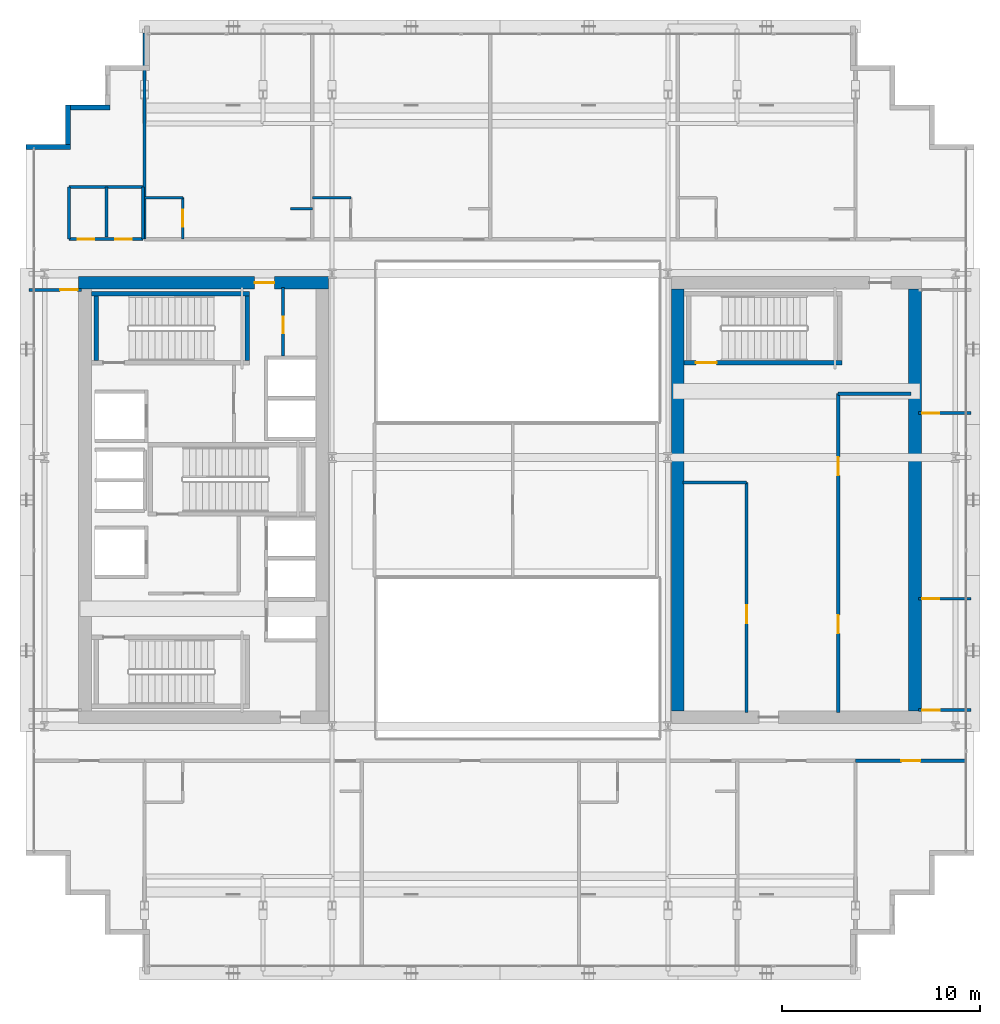
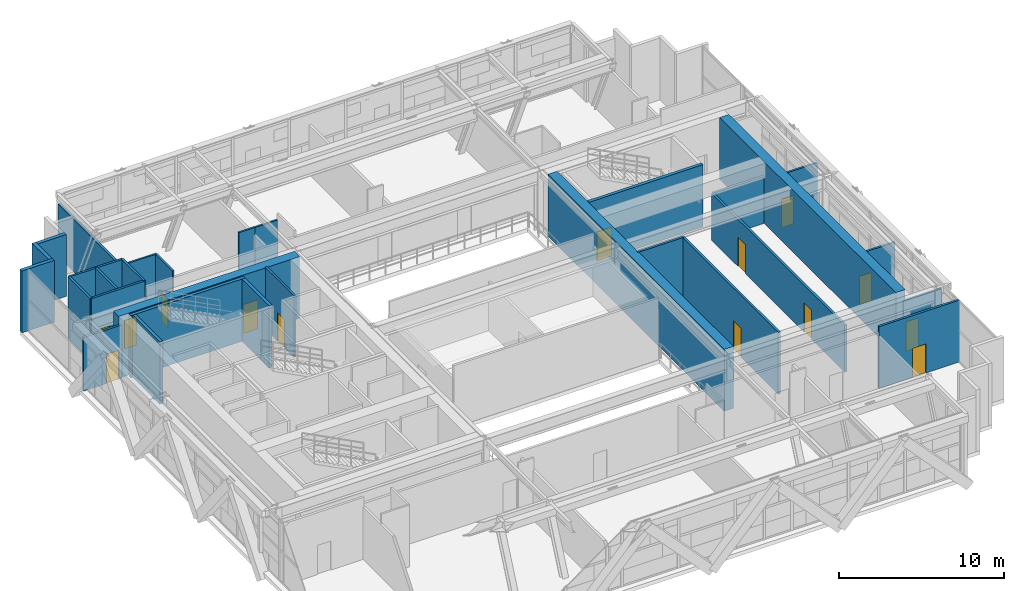
# One storey, part 30 of 35: 30 walls, 14 doors, 14 openings.
"""IFC4 building model written with IfcOpenShell, lengths in metres."""

from ifc_helpers import new_model, si_unit, direction, frame, frame_2d, origin, place, context, subcontext, project, spatial, rectangle, extrude, source, transform, mapped, material, layer, layer_set, type_object, element, fill, save


model = new_model("IFC4")

# Units and contexts
model_context = context("Model", 3, precision=1e-05, world=origin(), true_north=direction((0.0, 1.0)))
body_context = subcontext(model_context, "Body", "Model", "MODEL_VIEW")
ifc_project = project(units=[si_unit("LENGTHUNIT", "METRE"), si_unit("AREAUNIT", "SQUARE_METRE"), si_unit("VOLUMEUNIT", "CUBIC_METRE"), si_unit("PLANEANGLEUNIT", "RADIAN"), si_unit("MASSUNIT", "GRAM", prefix="KILO")], contexts=[model_context])

# Site, building, storey
site_placement = place(None, origin())
site = spatial("IfcSite", under=ifc_project, at=site_placement, CompositionType="ELEMENT")
building_placement = place(site_placement, origin())
building = spatial("IfcBuilding", under=site, at=building_placement, Name="Ocotamira Hotel", CompositionType="ELEMENT")
storey_placement = place(building_placement, frame((0.0, 0.0, 158.39990234375)))
storey = spatial("IfcBuildingStorey", under=building, at=storey_placement, Name="L39", CompositionType="ELEMENT", Elevation=158.39990234375)

# Wall, opening, door
ifc_material_1 = material(Name="Concrete C60/75", Category="concrete")
ifc_layer_1 = layer(ifc_material_1, 0.64990234375)
ifc_layer_set_1 = layer_set([ifc_layer_1], Name="Concrete C60/75")
wall_type_1 = type_object("IfcWallType", Name="WL-CORE-650", PredefinedType="SHEAR", material=ifc_layer_set_1)
wall_1_placement = place(storey_placement, frame((10.675048828125, 37.0, 0.0), z_axis=(0.0, 0.0, 1.0), x_axis=(1.0, 0.0, 0.0)))
wall_1 = element("IfcWall", 1, at=wall_1_placement, inside=storey, type_object=wall_type_1, Name="L39 Shear Core Wall WCORE-N", PredefinedType="SHEAR", context=body_context, shape_type="SweptSolid", body=[
    extrude(rectangle(XDim=12.64990234375, YDim=0.64990234375, at=frame_2d((6.324951171875, 0.0))), origin(), (0.0, 0.0, 1.0), 4.570068359375),
])
opening_1_placement = place(wall_1_placement, frame((8.905029296875, 0.0, 0.0)))
opening_1 = element("IfcOpeningElement", 2, at=opening_1_placement, cuts=wall_1, Name="Opening D-FR2", PredefinedType="OPENING", context=body_context, shape_type="SweptSolid", body=[
    extrude(rectangle(XDim=1.0, YDim=2.14990234375, at=frame_2d((0.5, 1.074951171875))), frame((0.0, 0.3349609375, 0.0), z_axis=(0.0, -1.0, 0.0), x_axis=(1.0, 0.0, 0.0)), (0.0, 0.0, 1.0), 0.669921875),
])
ifc_material_2 = material(Name="Fire-rated acoustic timber-veneer door", Category="wood")
door_type_1 = type_object("IfcDoorType", Name="DR-FIRE-1000", OperationType="NOTDEFINED", PredefinedType="DOOR", material=ifc_material_2)
shared_shape_1 = source(origin(), body_context, "Body", "SweptSolid", [
    extrude(rectangle(XDim=1.0, YDim=2.14990234375, at=frame_2d((0.5, 1.074951171875))), frame((0.0, 0.02490234375, 0.0), z_axis=(0.0, -1.0, 0.0), x_axis=(1.0, 0.0, 0.0)), (0.0, 0.0, 1.0), 0.050048828125),
])
door_1_placement = place(opening_1_placement, origin())
door_1 = element("IfcDoor", 3, at=door_1_placement, inside=storey, type_object=door_type_1, Name="L39 Door ID-L39-WLOB-N-D [ID-L39-WLOB-N-D]", OperationType="SINGLE_SWING_RIGHT", OverallHeight=2.14990234375, OverallWidth=1.0, PredefinedType="DOOR", context=body_context, shape_type="MappedRepresentation", body=[
    mapped(shared_shape_1, transform((0.0, 0.0, 0.0), scale=1.0)),
])
fill(opening_1, door_1)

# Walls
for number, where, z_axis, x_axis, name in (
    (4, (41.0, 15.324951171875, 0.0), (0.0, 0.0, 1.0), (0.0, 1.0, 0.0), "L39 Shear Core Wall ECORE-W"),
    (5, (53.0, 15.324951171875, 0.0), (0.0, 0.0, 1.0), (0.0, 1.0, 0.0), "L39 Shear Core Wall ECORE-E"),
):
    element("IfcWall", number, at=place(storey_placement, frame(where, z_axis=z_axis, x_axis=x_axis)), inside=storey, type_object=wall_type_1, Name=name, PredefinedType="SHEAR", context=body_context, shape_type="SweptSolid", body=[
        extrude(rectangle(XDim=21.35009765625, YDim=0.64990234375, at=frame_2d((10.675048828125, 0.0))), origin(), (0.0, 0.0, 1.0), 4.570068359375),
    ])
ifc_material_3 = material(Name="Precast concrete C45/55", Category="concrete")
ifc_layer_2 = layer(ifc_material_3, 0.25)
ifc_layer_set_2 = layer_set([ifc_layer_2], Name="Precast concrete C45/55")
wall_type_2 = type_object("IfcWallType", Name="WL-EXT-SER-250", PredefinedType="SOLIDWALL", material=ifc_layer_set_2)
for number, where, z_axis, x_axis, name in (
    (6, (12.25, 45.875, 0.0), (0.0, 0.0, 1.0), (-1.0, 0.0, 0.0), "L39 Serrated Corner Wall 16"),
    (7, (10.125, 46.0, 0.0), (0.0, 0.0, 1.0), (0.0, -1.0, 0.0), "L39 Serrated Corner Wall 17"),
):
    element("IfcWall", number, at=place(storey_placement, frame(where, z_axis=z_axis, x_axis=x_axis)), inside=storey, type_object=wall_type_2, Name=name, PredefinedType="SOLIDWALL", context=body_context, shape_type="SweptSolid", body=[
        extrude(rectangle(XDim=2.0, YDim=0.25, at=frame_2d((1.0, 0.0))), origin(), (0.0, 0.0, 1.0), 4.570068359375),
    ])
wall_2_placement = place(storey_placement, frame((10.25, 43.875, 0.0), z_axis=(0.0, 0.0, 1.0), x_axis=(-1.0, 0.0, 0.0)))
element("IfcWall", 8, at=wall_2_placement, inside=storey, type_object=wall_type_2, Name="L39 Serrated Corner Wall 18", PredefinedType="SOLIDWALL", context=body_context, shape_type="SweptSolid", body=[
    extrude(rectangle(XDim=2.25, YDim=0.25, at=frame_2d((1.125, 0.0))), origin(), (0.0, 0.0, 1.0), 4.570068359375),
])
ifc_material_4 = material(Name="Acoustic double-layer fire gypsum board partition", Category="gypsum")
ifc_layer_3 = layer(ifc_material_4, 0.159912109375)
ifc_layer_set_3 = layer_set([ifc_layer_3], Name="Acoustic double-layer fire gypsum board partition")
wall_type_3 = type_object("IfcWallType", Name="WL-FIRE-160", PredefinedType="PARTITIONING", material=ifc_layer_set_3)
wall_3_placement = place(storey_placement, frame((49.1201171875, 31.3798828125, 0.0), z_axis=(0.0, 0.0, 1.0), x_axis=(1.0, 0.0, 0.0)))
element("IfcWall", 9, at=wall_3_placement, inside=storey, type_object=wall_type_3, Name="L39 Interior Wall PW-L39-EC-FLOW-N", PredefinedType="PARTITIONING", context=body_context, shape_type="SweptSolid", body=[
    extrude(rectangle(XDim=3.679931640625, YDim=0.159912109375, at=frame_2d((1.83984375, 0.0))), origin(), (0.0, 0.0, 1.0), 3.47021484375),
])

# Wall, openings, doors
wall_4_placement = place(storey_placement, frame((49.1201171875, 15.25, 0.0), z_axis=(0.0, 0.0, 1.0), x_axis=(0.0, 1.0, 0.0)))
wall_4 = element("IfcWall", 10, at=wall_4_placement, inside=storey, type_object=wall_type_3, Name="L39 Interior Wall PW-L39-EC-FLOW-W", PredefinedType="PARTITIONING", context=body_context, shape_type="SweptSolid", body=[
    extrude(rectangle(XDim=16.1298828125, YDim=0.159912109375, at=frame_2d((8.06494140625, 0.0))), origin(), (0.0, 0.0, 1.0), 3.47021484375),
])
opening_2_placement = place(wall_4_placement, frame((4.0, 0.0, 0.0)))
opening_2 = element("IfcOpeningElement", 11, at=opening_2_placement, cuts=wall_4, Name="Opening D-SV3", PredefinedType="OPENING", context=body_context, shape_type="SweptSolid", body=[
    extrude(rectangle(XDim=0.919921875, YDim=2.14990234375, at=frame_2d((0.4599609375, 1.074951171875))), frame((0.0, 0.08984375, 0.0), z_axis=(0.0, -1.0, 0.0), x_axis=(1.0, 0.0, 0.0)), (0.0, 0.0, 1.0), 0.179931640625),
])
opening_3_placement = place(wall_4_placement, frame((12.0, 0.0, 0.0)))
opening_3 = element("IfcOpeningElement", 12, at=opening_3_placement, cuts=wall_4, Name="Opening D-SV3", PredefinedType="OPENING", context=body_context, shape_type="SweptSolid", body=[
    extrude(rectangle(XDim=0.919921875, YDim=2.14990234375, at=frame_2d((0.4599609375, 1.074951171875))), frame((0.0, 0.08984375, 0.0), z_axis=(0.0, -1.0, 0.0), x_axis=(1.0, 0.0, 0.0)), (0.0, 0.0, 1.0), 0.179931640625),
])
ifc_material_5 = material(Name="Fire-rated walnut hospitality door", Category="wood")
door_type_2 = type_object("IfcDoorType", Name="DR-SERV-920", OperationType="NOTDEFINED", PredefinedType="DOOR", material=ifc_material_5)
shared_shape_2 = source(origin(), body_context, "Body", "SweptSolid", [
    extrude(rectangle(XDim=0.919921875, YDim=2.14990234375, at=frame_2d((0.4599609375, 1.074951171875))), frame((0.0, 0.02490234375, 0.0), z_axis=(0.0, -1.0, 0.0), x_axis=(1.0, 0.0, 0.0)), (0.0, 0.0, 1.0), 0.050048828125),
])
door_2_placement = place(opening_2_placement, origin())
door_2 = element("IfcDoor", 13, at=door_2_placement, inside=storey, type_object=door_type_2, Name="L39 Door ID-L39-EC-FLOW-D1 [ID-L39-EC-FLOW-D1]", OperationType="SINGLE_SWING_LEFT", OverallHeight=2.14990234375, OverallWidth=0.919921875, PredefinedType="DOOR", context=body_context, shape_type="MappedRepresentation", body=[
    mapped(shared_shape_2, transform((0.0, 0.0, 0.0), scale=1.0)),
])
fill(opening_2, door_2)
door_3_placement = place(opening_3_placement, origin())
door_3 = element("IfcDoor", 14, at=door_3_placement, inside=storey, type_object=door_type_2, Name="L39 Door ID-L39-EC-FLOW-D2 [ID-L39-EC-FLOW-D2]", OperationType="SINGLE_SWING_RIGHT", OverallHeight=2.14990234375, OverallWidth=0.919921875, PredefinedType="DOOR", context=body_context, shape_type="MappedRepresentation", body=[
    mapped(shared_shape_2, transform((0.0, 0.0, 0.0), scale=1.0)),
])
fill(opening_3, door_3)

# Wall, opening, door
wall_5_placement = place(storey_placement, frame((50.0, 12.800048828125, 0.0), z_axis=(0.0, 0.0, 1.0), x_axis=(1.0, 0.0, 0.0)))
wall_5 = element("IfcWall", 15, at=wall_5_placement, inside=storey, type_object=wall_type_3, Name="L39 Interior Wall PW-L39-L39-CSE-CW", PredefinedType="PARTITIONING", context=body_context, shape_type="SweptSolid", body=[
    extrude(rectangle(XDim=5.60009765625, YDim=0.159912109375, at=frame_2d((2.800048828125, 0.0))), origin(), (0.0, 0.0, 1.0), 4.570068359375),
])
opening_4_placement = place(wall_5_placement, frame((2.320068359375, 0.0, 0.0)))
opening_4 = element("IfcOpeningElement", 16, at=opening_4_placement, cuts=wall_5, Name="Opening D-SV4", PredefinedType="OPENING", context=body_context, shape_type="SweptSolid", body=[
    extrude(rectangle(XDim=0.9599609375, YDim=2.14990234375, at=frame_2d((0.47998046875, 1.074951171875))), frame((0.0, 0.08984375, 0.0), z_axis=(0.0, -1.0, 0.0), x_axis=(1.0, 0.0, 0.0)), (0.0, 0.0, 1.0), 0.179931640625),
])
ifc_material_6 = material(Name="Fire-rated accessible walnut salon door", Category="wood")
door_type_3 = type_object("IfcDoorType", Name="DR-SERV-960", OperationType="NOTDEFINED", PredefinedType="DOOR", material=ifc_material_6)
shared_shape_3 = source(origin(), body_context, "Body", "SweptSolid", [
    extrude(rectangle(XDim=0.9599609375, YDim=2.14990234375, at=frame_2d((0.47998046875, 1.074951171875))), frame((0.0, 0.02490234375, 0.0), z_axis=(0.0, -1.0, 0.0), x_axis=(1.0, 0.0, 0.0)), (0.0, 0.0, 1.0), 0.050048828125),
])
door_4_placement = place(opening_4_placement, origin())
door_4 = element("IfcDoor", 17, at=door_4_placement, inside=storey, type_object=door_type_3, Name="L39 Door ID-L39-L39-CSE-CD [ID-L39-L39-CSE-CD]", OperationType="SINGLE_SWING_LEFT", OverallHeight=2.14990234375, OverallWidth=0.9599609375, PredefinedType="DOOR", context=body_context, shape_type="MappedRepresentation", body=[
    mapped(shared_shape_3, transform((0.0, 0.0, 0.0), scale=1.0)),
])
fill(opening_4, door_4)

ifc_material_7 = material(Name="Moisture-resistant en-suite tile and gypsum partition", Category="gypsum")
ifc_layer_4 = layer(ifc_material_7, 0.1201171875)
ifc_layer_set_4 = layer_set([ifc_layer_4], Name="Moisture-resistant en-suite tile and gypsum partition")
wall_type_4 = type_object("IfcWallType", Name="WL-PART-120", PredefinedType="PARTITIONING", material=ifc_layer_set_4)
wall_6_placement = place(storey_placement, frame((15.949951171875, 39.199951171875, 0.0), z_axis=(0.0, 0.0, 1.0), x_axis=(0.0, 1.0, 0.0)))
wall_6 = element("IfcWall", 18, at=wall_6_placement, inside=storey, type_object=wall_type_4, Name="L39 Interior Wall PW-L39-L39N-BAE1", PredefinedType="PARTITIONING", context=body_context, shape_type="SweptSolid", body=[
    extrude(rectangle(XDim=2.10009765625, YDim=0.1201171875, at=frame_2d((1.050048828125, 0.0))), origin(), (0.0, 0.0, 1.0), 4.570068359375),
])
opening_5_placement = place(wall_6_placement, frame((0.6201171875, 0.0, 0.0)))
opening_5 = element("IfcOpeningElement", 19, at=opening_5_placement, cuts=wall_6, Name="Opening D-BA1", PredefinedType="OPENING", context=body_context, shape_type="SweptSolid", body=[
    extrude(rectangle(XDim=0.860107421875, YDim=2.10009765625, at=frame_2d((0.43017578125, 1.050048828125))), frame((0.0, 0.070068359375, 0.0), z_axis=(0.0, -1.0, 0.0), x_axis=(1.0, 0.0, 0.0)), (0.0, 0.0, 1.0), 0.14013671875),
])
ifc_material_8 = material(Name="Moisture-sealed en-suite timber door", Category="wood")
door_type_4 = type_object("IfcDoorType", Name="DR-BATH-860", OperationType="NOTDEFINED", PredefinedType="DOOR", material=ifc_material_8)
shared_shape_4 = source(origin(), body_context, "Body", "SweptSolid", [
    extrude(rectangle(XDim=0.860107421875, YDim=2.10009765625, at=frame_2d((0.43017578125, 1.050048828125))), frame((0.0, 0.02490234375, 0.0), z_axis=(0.0, -1.0, 0.0), x_axis=(1.0, 0.0, 0.0)), (0.0, 0.0, 1.0), 0.050048828125),
])
door_5_placement = place(opening_5_placement, origin())
door_5 = element("IfcDoor", 20, at=door_5_placement, inside=storey, type_object=door_type_4, Name="L39 Door ID-L39-L39N-BAD1 [ID-L39-L39N-BAD1]", OperationType="SINGLE_SWING_RIGHT", OverallHeight=2.10009765625, OverallWidth=0.860107421875, PredefinedType="DOOR", context=body_context, shape_type="MappedRepresentation", body=[
    mapped(shared_shape_4, transform((0.0, 0.0, 0.0), scale=1.0)),
])
fill(opening_5, door_5)

# Walls
wall_7_placement = place(storey_placement, frame((14.0, 41.300048828125, 0.0), z_axis=(0.0, 0.0, 1.0), x_axis=(1.0, 0.0, 0.0)))
element("IfcWall", 21, at=wall_7_placement, inside=storey, type_object=wall_type_4, Name="L39 Interior Wall PW-L39-L39N-BAN1", PredefinedType="PARTITIONING", context=body_context, shape_type="SweptSolid", body=[
    extrude(rectangle(XDim=1.949951171875, YDim=0.1201171875, at=frame_2d((0.97509765625, 0.0))), origin(), (0.0, 0.0, 1.0), 4.570068359375),
])
wall_8_placement = place(storey_placement, frame((21.39990234375, 40.75, 0.0), z_axis=(0.0, 0.0, 1.0), x_axis=(1.0, 0.0, 0.0)))
element("IfcWall", 22, at=wall_8_placement, inside=storey, type_object=wall_type_4, Name="L39 Interior Wall PW-L39-L39N-DRN1", PredefinedType="PARTITIONING", context=body_context, shape_type="SweptSolid", body=[
    extrude(rectangle(XDim=1.10009765625, YDim=0.1201171875, at=frame_2d((0.550048828125, 0.0))), origin(), (0.0, 0.0, 1.0), 4.570068359375),
])
wall_9_placement = place(storey_placement, frame((22.5, 41.300048828125, 0.0), z_axis=(0.0, 0.0, 1.0), x_axis=(1.0, 0.0, 0.0)))
element("IfcWall", 23, at=wall_9_placement, inside=storey, type_object=wall_type_4, Name="L39 Interior Wall PW-L39-L39N-BAN2", PredefinedType="PARTITIONING", context=body_context, shape_type="SweptSolid", body=[
    extrude(rectangle(XDim=1.949951171875, YDim=0.1201171875, at=frame_2d((0.97509765625, 0.0))), origin(), (0.0, 0.0, 1.0), 4.113037109375),
])

# Wall, opening, door
ifc_material_9 = material(Name="Acoustic hospitality gypsum board partition", Category="gypsum")
ifc_layer_5 = layer(ifc_material_9, 0.14208984375)
ifc_layer_set_5 = layer_set([ifc_layer_5], Name="Acoustic hospitality gypsum board partition")
wall_type_5 = type_object("IfcWallType", Name="WL-PART-142", PredefinedType="PARTITIONING", material=ifc_layer_set_5)
wall_10_placement = place(storey_placement, frame((21.02001953125, 33.280029296875, 0.0), z_axis=(0.0, 0.0, 1.0), x_axis=(0.0, 1.0, 0.0)))
wall_10 = element("IfcWall", 24, at=wall_10_placement, inside=storey, type_object=wall_type_5, Name="L39 Interior Wall PW-L39-WC-NE-W", PredefinedType="PARTITIONING", context=body_context, shape_type="SweptSolid", body=[
    extrude(rectangle(XDim=3.469970703125, YDim=0.14208984375, at=frame_2d((1.73486328125, 0.0))), origin(), (0.0, 0.0, 1.0), 4.570068359375),
])
opening_6_placement = place(wall_10_placement, frame((1.14990234375, 0.0, 0.0)))
opening_6 = element("IfcOpeningElement", 25, at=opening_6_placement, cuts=wall_10, Name="Opening D-SV1", PredefinedType="OPENING", context=body_context, shape_type="SweptSolid", body=[
    extrude(rectangle(XDim=0.840087890625, YDim=2.10009765625, at=frame_2d((0.419921875, 1.050048828125))), frame((0.0, 0.0810546875, 0.0), z_axis=(0.0, -1.0, 0.0), x_axis=(1.0, 0.0, 0.0)), (0.0, 0.0, 1.0), 0.162109375),
])
ifc_material_10 = material(Name="Fire-rated painted steel service door", Category="steel")
door_type_5 = type_object("IfcDoorType", Name="DR-SERV-840", OperationType="NOTDEFINED", PredefinedType="DOOR", material=ifc_material_10)
shared_shape_5 = source(origin(), body_context, "Body", "SweptSolid", [
    extrude(rectangle(XDim=0.840087890625, YDim=2.10009765625, at=frame_2d((0.419921875, 1.050048828125))), frame((0.0, 0.02490234375, 0.0), z_axis=(0.0, -1.0, 0.0), x_axis=(1.0, 0.0, 0.0)), (0.0, 0.0, 1.0), 0.050048828125),
])
door_6_placement = place(opening_6_placement, origin())
door_6 = element("IfcDoor", 26, at=door_6_placement, inside=storey, type_object=door_type_5, Name="L39 Door ID-L39-WC-NE-D [ID-L39-WC-NE-D]", OperationType="SINGLE_SWING_LEFT", OverallHeight=2.10009765625, OverallWidth=0.840087890625, PredefinedType="DOOR", context=body_context, shape_type="MappedRepresentation", body=[
    mapped(shared_shape_5, transform((0.0, 0.0, 0.0), scale=1.0)),
])
fill(opening_6, door_6)

wall_11_placement = place(storey_placement, frame((53.179931640625, 21.0, 0.0), z_axis=(0.0, 0.0, 1.0), x_axis=(1.0, 0.0, 0.0)))
wall_11 = element("IfcWall", 27, at=wall_11_placement, inside=storey, type_object=wall_type_5, Name="L39 Interior Wall PW-L39-L39E-DV1", PredefinedType="PARTITIONING", context=body_context, shape_type="SweptSolid", body=[
    extrude(rectangle(XDim=2.66015625, YDim=0.14208984375, at=frame_2d((1.330078125, 0.0))), origin(), (0.0, 0.0, 1.0), 3.791015625),
])
opening_7_placement = place(wall_11_placement, frame((0.199951171875, 0.0, 0.0)))
opening_7 = element("IfcOpeningElement", 28, at=opening_7_placement, cuts=wall_11, Name="Opening D-SV1", PredefinedType="OPENING", context=body_context, shape_type="SweptSolid", body=[
    extrude(rectangle(XDim=0.840087890625, YDim=2.10009765625, at=frame_2d((0.419921875, 1.050048828125))), frame((0.0, 0.0810546875, 0.0), z_axis=(0.0, -1.0, 0.0), x_axis=(1.0, 0.0, 0.0)), (0.0, 0.0, 1.0), 0.162109375),
])
door_7_placement = place(opening_7_placement, origin())
door_7 = element("IfcDoor", 29, at=door_7_placement, inside=storey, type_object=door_type_5, Name="L39 Door ID-L39-L39E-DV1D [ID-L39-L39E-DV1D]", OperationType="SINGLE_SWING_LEFT", OverallHeight=2.10009765625, OverallWidth=0.840087890625, PredefinedType="DOOR", context=body_context, shape_type="MappedRepresentation", body=[
    mapped(shared_shape_5, transform((0.0, 0.0, 0.0), scale=1.0)),
])
fill(opening_7, door_7)

wall_12_placement = place(storey_placement, frame((53.179931640625, 30.39990234375, 0.0), z_axis=(0.0, 0.0, 1.0), x_axis=(1.0, 0.0, 0.0)))
wall_12 = element("IfcWall", 30, at=wall_12_placement, inside=storey, type_object=wall_type_5, Name="L39 Interior Wall PW-L39-L39E-DV2", PredefinedType="PARTITIONING", context=body_context, shape_type="SweptSolid", body=[
    extrude(rectangle(XDim=2.66015625, YDim=0.14208984375, at=frame_2d((1.330078125, 0.0))), origin(), (0.0, 0.0, 1.0), 3.953125),
])
opening_8_placement = place(wall_12_placement, frame((0.199951171875, 0.0, 0.0)))
opening_8 = element("IfcOpeningElement", 31, at=opening_8_placement, cuts=wall_12, Name="Opening D-SV1", PredefinedType="OPENING", context=body_context, shape_type="SweptSolid", body=[
    extrude(rectangle(XDim=0.840087890625, YDim=2.10009765625, at=frame_2d((0.419921875, 1.050048828125))), frame((0.0, 0.0810546875, 0.0), z_axis=(0.0, -1.0, 0.0), x_axis=(1.0, 0.0, 0.0)), (0.0, 0.0, 1.0), 0.162109375),
])
door_8_placement = place(opening_8_placement, origin())
door_8 = element("IfcDoor", 32, at=door_8_placement, inside=storey, type_object=door_type_5, Name="L39 Door ID-L39-L39E-DV2D [ID-L39-L39E-DV2D]", OperationType="SINGLE_SWING_RIGHT", OverallHeight=2.10009765625, OverallWidth=0.840087890625, PredefinedType="DOOR", context=body_context, shape_type="MappedRepresentation", body=[
    mapped(shared_shape_5, transform((0.0, 0.0, 0.0), scale=1.0)),
])
fill(opening_8, door_8)

# Wall
ifc_layer_6 = layer(ifc_material_9, 0.14990234375)
ifc_layer_set_6 = layer_set([ifc_layer_6], Name="Acoustic hospitality gypsum board partition")
wall_type_6 = type_object("IfcWallType", Name="WL-PART-150", PredefinedType="PARTITIONING", material=ifc_layer_set_6)
wall_13_placement = place(storey_placement, frame((41.25, 26.8798828125, 0.0), z_axis=(0.0, 0.0, 1.0), x_axis=(1.0, 0.0, 0.0)))
element("IfcWall", 33, at=wall_13_placement, inside=storey, type_object=wall_type_6, Name="L39 Interior Wall PW-L39-EC-FMID-N", PredefinedType="PARTITIONING", context=body_context, shape_type="SweptSolid", body=[
    extrude(rectangle(XDim=3.22998046875, YDim=0.14990234375, at=frame_2d((1.614990234375, 0.0))), origin(), (0.0, 0.0, 1.0), 4.570068359375),
])

# Wall, opening, door
wall_14_placement = place(storey_placement, frame((44.47998046875, 15.25, 0.0), z_axis=(0.0, 0.0, 1.0), x_axis=(0.0, 1.0, 0.0)))
wall_14 = element("IfcWall", 34, at=wall_14_placement, inside=storey, type_object=wall_type_6, Name="L39 Interior Wall PW-L39-EC-FMID-E", PredefinedType="PARTITIONING", context=body_context, shape_type="SweptSolid", body=[
    extrude(rectangle(XDim=11.6298828125, YDim=0.14990234375, at=frame_2d((5.81494140625, 0.0))), origin(), (0.0, 0.0, 1.0), 4.570068359375),
])
opening_9_placement = place(wall_14_placement, frame((4.5, 0.0, 0.0)))
opening_9 = element("IfcOpeningElement", 35, at=opening_9_placement, cuts=wall_14, Name="Opening D-SV3", PredefinedType="OPENING", context=body_context, shape_type="SweptSolid", body=[
    extrude(rectangle(XDim=0.919921875, YDim=2.14990234375, at=frame_2d((0.4599609375, 1.074951171875))), frame((0.0, 0.0849609375, 0.0), z_axis=(0.0, -1.0, 0.0), x_axis=(1.0, 0.0, 0.0)), (0.0, 0.0, 1.0), 0.169921875),
])
door_9_placement = place(opening_9_placement, origin())
door_9 = element("IfcDoor", 36, at=door_9_placement, inside=storey, type_object=door_type_2, Name="L39 Door ID-L39-EC-FMID-D1 [ID-L39-EC-FMID-D1]", OperationType="SINGLE_SWING_RIGHT", OverallHeight=2.14990234375, OverallWidth=0.919921875, PredefinedType="DOOR", context=body_context, shape_type="MappedRepresentation", body=[
    mapped(shared_shape_2, transform((0.0, 0.0, 0.0), scale=1.0)),
])
fill(opening_9, door_9)

wall_15_placement = place(storey_placement, frame((8.159912109375, 36.639892578125, 0.0), z_axis=(0.0, 0.0, 1.0), x_axis=(1.0, 0.0, 0.0)))
wall_15 = element("IfcWall", 37, at=wall_15_placement, inside=storey, type_object=wall_type_6, Name="L39 Interior Wall PW-L39-L39W-WN", PredefinedType="PARTITIONING", context=body_context, shape_type="SweptSolid", body=[
    extrude(rectangle(XDim=2.66015625, YDim=0.14990234375, at=frame_2d((1.330078125, 0.0))), origin(), (0.0, 0.0, 1.0), 3.953125),
])
opening_10_placement = place(wall_15_placement, frame((1.580078125, 0.0, 0.0)))
opening_10 = element("IfcOpeningElement", 38, at=opening_10_placement, cuts=wall_15, Name="Opening D-SV2", PredefinedType="OPENING", context=body_context, shape_type="SweptSolid", body=[
    extrude(rectangle(XDim=0.8798828125, YDim=2.14990234375, at=frame_2d((0.43994140625, 1.074951171875))), frame((0.0, 0.0849609375, 0.0), z_axis=(0.0, -1.0, 0.0), x_axis=(1.0, 0.0, 0.0)), (0.0, 0.0, 1.0), 0.169921875),
])
door_type_6 = type_object("IfcDoorType", Name="DR-SERV-880", OperationType="NOTDEFINED", PredefinedType="DOOR", material=ifc_material_10)
shared_shape_6 = source(origin(), body_context, "Body", "SweptSolid", [
    extrude(rectangle(XDim=0.8798828125, YDim=2.14990234375, at=frame_2d((0.43994140625, 1.074951171875))), frame((0.0, 0.02490234375, 0.0), z_axis=(0.0, -1.0, 0.0), x_axis=(1.0, 0.0, 0.0)), (0.0, 0.0, 1.0), 0.050048828125),
])
door_10_placement = place(opening_10_placement, origin())
door_10 = element("IfcDoor", 39, at=door_10_placement, inside=storey, type_object=door_type_6, Name="L39 Door ID-L39-L39W-DN [ID-L39-L39W-DN]", OperationType="SINGLE_SWING_RIGHT", OverallHeight=2.14990234375, OverallWidth=0.8798828125, PredefinedType="DOOR", context=body_context, shape_type="MappedRepresentation", body=[
    mapped(shared_shape_6, transform((0.0, 0.0, 0.0), scale=1.0)),
])
fill(opening_10, door_10)

wall_16_placement = place(storey_placement, frame((53.179931640625, 15.360107421875, 0.0), z_axis=(0.0, 0.0, 1.0), x_axis=(1.0, 0.0, 0.0)))
wall_16 = element("IfcWall", 40, at=wall_16_placement, inside=storey, type_object=wall_type_6, Name="L39 Interior Wall PW-L39-L39E-WS", PredefinedType="PARTITIONING", context=body_context, shape_type="SweptSolid", body=[
    extrude(rectangle(XDim=2.66015625, YDim=0.14990234375, at=frame_2d((1.330078125, 0.0))), origin(), (0.0, 0.0, 1.0), 3.791015625),
])
opening_11_placement = place(wall_16_placement, frame((0.199951171875, 0.0, 0.0)))
opening_11 = element("IfcOpeningElement", 41, at=opening_11_placement, cuts=wall_16, Name="Opening D-SV2", PredefinedType="OPENING", context=body_context, shape_type="SweptSolid", body=[
    extrude(rectangle(XDim=0.8798828125, YDim=2.14990234375, at=frame_2d((0.43994140625, 1.074951171875))), frame((0.0, 0.0849609375, 0.0), z_axis=(0.0, -1.0, 0.0), x_axis=(1.0, 0.0, 0.0)), (0.0, 0.0, 1.0), 0.169921875),
])
door_11_placement = place(opening_11_placement, origin())
door_11 = element("IfcDoor", 42, at=door_11_placement, inside=storey, type_object=door_type_6, Name="L39 Door ID-L39-L39E-DS [ID-L39-L39E-DS]", OperationType="SINGLE_SWING_RIGHT", OverallHeight=2.14990234375, OverallWidth=0.8798828125, PredefinedType="DOOR", context=body_context, shape_type="MappedRepresentation", body=[
    mapped(shared_shape_6, transform((0.0, 0.0, 0.0), scale=1.0)),
])
fill(opening_11, door_11)

# Walls
wall_17_placement = place(storey_placement, frame((12.080078125, 39.300048828125, 0.0), z_axis=(0.0, 0.0, 1.0), x_axis=(0.0, 1.0, 0.0)))
element("IfcWall", 43, at=wall_17_placement, inside=storey, type_object=wall_type_6, Name="L39 Interior Wall PW-L39-SKY-WCDIV", PredefinedType="PARTITIONING", context=body_context, shape_type="SweptSolid", body=[
    extrude(rectangle(XDim=2.550048828125, YDim=0.14990234375, at=frame_2d((1.27490234375, 0.0))), origin(), (0.0, 0.0, 1.0), 4.570068359375),
])
for number, where, z_axis, x_axis, name in (
    (44, (10.179931640625, 39.199951171875, 0.0), (0.0, 0.0, 1.0), (0.0, 1.0, 0.0), "L39 Interior Wall PW-L39-SKY-WCW"),
    (45, (13.919921875, 39.199951171875, 0.0), (0.0, 0.0, 1.0), (0.0, 1.0, 0.0), "L39 Interior Wall PW-L39-SKY-WCE"),
):
    element("IfcWall", number, at=place(storey_placement, frame(where, z_axis=z_axis, x_axis=x_axis)), inside=storey, type_object=wall_type_6, Name=name, PredefinedType="PARTITIONING", context=body_context, shape_type="SweptSolid", body=[
        extrude(rectangle(XDim=2.650146484375, YDim=0.14990234375, at=frame_2d((1.3251953125, 0.0))), origin(), (0.0, 0.0, 1.0), 4.570068359375),
    ])
wall_18_placement = place(storey_placement, frame((10.179931640625, 41.85009765625, 0.0), z_axis=(0.0, 0.0, 1.0), x_axis=(1.0, 0.0, 0.0)))
element("IfcWall", 46, at=wall_18_placement, inside=storey, type_object=wall_type_6, Name="L39 Interior Wall PW-L39-SKY-WCN", PredefinedType="PARTITIONING", context=body_context, shape_type="SweptSolid", body=[
    extrude(rectangle(XDim=3.739990234375, YDim=0.14990234375, at=frame_2d((1.8701171875, 0.0))), origin(), (0.0, 0.0, 1.0), 4.570068359375),
])

# Wall, openings, doors
wall_19_placement = place(storey_placement, frame((10.179931640625, 39.199951171875, 0.0), z_axis=(0.0, 0.0, 1.0), x_axis=(1.0, 0.0, 0.0)))
wall_19 = element("IfcWall", 47, at=wall_19_placement, inside=storey, type_object=wall_type_6, Name="L39 Interior Wall PW-L39-SKY-WCS", PredefinedType="PARTITIONING", context=body_context, shape_type="SweptSolid", body=[
    extrude(rectangle(XDim=3.739990234375, YDim=0.14990234375, at=frame_2d((1.8701171875, 0.0))), origin(), (0.0, 0.0, 1.0), 4.570068359375),
])
opening_12_placement = place(wall_19_placement, frame((0.449951171875, 0.0, 0.0)))
opening_12 = element("IfcOpeningElement", 48, at=opening_12_placement, cuts=wall_19, Name="Opening D-SV1", PredefinedType="OPENING", context=body_context, shape_type="SweptSolid", body=[
    extrude(rectangle(XDim=0.840087890625, YDim=2.10009765625, at=frame_2d((0.419921875, 1.050048828125))), frame((0.0, 0.0849609375, 0.0), z_axis=(0.0, -1.0, 0.0), x_axis=(1.0, 0.0, 0.0)), (0.0, 0.0, 1.0), 0.169921875),
])
opening_13_placement = place(wall_19_placement, frame((2.35009765625, 0.0, 0.0)))
opening_13 = element("IfcOpeningElement", 49, at=opening_13_placement, cuts=wall_19, Name="Opening D-SV1", PredefinedType="OPENING", context=body_context, shape_type="SweptSolid", body=[
    extrude(rectangle(XDim=0.840087890625, YDim=2.10009765625, at=frame_2d((0.419921875, 1.050048828125))), frame((0.0, 0.0849609375, 0.0), z_axis=(0.0, -1.0, 0.0), x_axis=(1.0, 0.0, 0.0)), (0.0, 0.0, 1.0), 0.169921875),
])
door_12_placement = place(opening_12_placement, origin())
door_12 = element("IfcDoor", 50, at=door_12_placement, inside=storey, type_object=door_type_5, Name="L39 Door ID-L39-SKY-WCD1 [ID-L39-SKY-WCD1]", OperationType="SINGLE_SWING_LEFT", OverallHeight=2.10009765625, OverallWidth=0.840087890625, PredefinedType="DOOR", context=body_context, shape_type="MappedRepresentation", body=[
    mapped(shared_shape_5, transform((0.0, 0.0, 0.0), scale=1.0)),
])
fill(opening_12, door_12)
door_13_placement = place(opening_13_placement, origin())
door_13 = element("IfcDoor", 51, at=door_13_placement, inside=storey, type_object=door_type_5, Name="L39 Door ID-L39-SKY-AWCD [ID-L39-SKY-AWCD]", OperationType="SINGLE_SWING_RIGHT", OverallHeight=2.10009765625, OverallWidth=0.840087890625, PredefinedType="DOOR", context=body_context, shape_type="MappedRepresentation", body=[
    mapped(shared_shape_5, transform((0.0, 0.0, 0.0), scale=1.0)),
])
fill(opening_13, door_13)

# Walls
ifc_material_11 = material(Name="Acoustic double-stud hospitality gypsum partition", Category="gypsum")
ifc_layer_7 = layer(ifc_material_11, 0.159912109375)
ifc_layer_set_7 = layer_set([ifc_layer_7], Name="Acoustic double-stud hospitality gypsum partition")
wall_type_7 = type_object("IfcWallType", Name="WL-PART-160", PredefinedType="PARTITIONING", material=ifc_layer_set_7)
wall_20_placement = place(storey_placement, frame((14.0, 39.199951171875, 0.0), z_axis=(0.0, 0.0, 1.0), x_axis=(0.0, 1.0, 0.0)))
element("IfcWall", 52, at=wall_20_placement, inside=storey, type_object=wall_type_7, Name="L39 Interior Wall PW-L39-L39N-PW0", PredefinedType="PARTITIONING", context=body_context, shape_type="SweptSolid", body=[
    extrude(rectangle(XDim=10.43994140625, YDim=0.159912109375, at=frame_2d((5.219970703125, 0.0))), origin(), (0.0, 0.0, 1.0), 3.877197265625),
])
ifc_material_12 = material(Name="Concrete C50/60", Category="concrete")
ifc_layer_8 = layer(ifc_material_12, 0.219970703125)
ifc_layer_set_8 = layer_set([ifc_layer_8], Name="Concrete C50/60")
wall_type_8 = type_object("IfcWallType", Name="WL-STAIR-220", PredefinedType="SHEAR", material=ifc_layer_set_8)
wall_21_placement = place(storey_placement, frame((11.324951171875, 36.43994140625, 0.0), z_axis=(0.0, 0.0, 1.0), x_axis=(1.0, 0.0, 0.0)))
element("IfcWall", 53, at=wall_21_placement, inside=storey, type_object=wall_type_8, Name="L39 Stair Shaft Structural Wall ST-2-N", PredefinedType="SHEAR", context=body_context, shape_type="SweptSolid", body=[
    extrude(rectangle(XDim=7.985107421875, YDim=0.219970703125, at=frame_2d((3.99267578125, 0.0))), origin(), (0.0, 0.0, 1.0), 4.60009765625),
])
for number, where, z_axis, x_axis, name in (
    (54, (11.56005859375, 33.050048828125, 0.0), (0.0, 0.0, 1.0), (0.0, 1.0, 0.0), "L39 Stair Shaft Structural Wall ST-2-W"),
    (55, (19.199951171875, 33.050048828125, 0.0), (0.0, 0.0, 1.0), (0.0, 1.0, 0.0), "L39 Stair Shaft Structural Wall ST-2-E"),
):
    element("IfcWall", number, at=place(storey_placement, frame(where, z_axis=z_axis, x_axis=x_axis)), inside=storey, type_object=wall_type_8, Name=name, PredefinedType="SHEAR", context=body_context, shape_type="SweptSolid", body=[
        extrude(rectangle(XDim=3.280029296875, YDim=0.219970703125, at=frame_2d((1.64013671875, 0.0))), origin(), (0.0, 0.0, 1.0), 4.60009765625),
    ])

# Wall, opening, door
wall_22_placement = place(storey_placement, frame((41.324951171875, 32.93994140625, 0.0), z_axis=(0.0, 0.0, 1.0), x_axis=(1.0, 0.0, 0.0)))
wall_22 = element("IfcWall", 56, at=wall_22_placement, inside=storey, type_object=wall_type_8, Name="L39 Stair Shaft Structural Wall ST-4-S", PredefinedType="SHEAR", context=body_context, shape_type="SweptSolid", body=[
    extrude(rectangle(XDim=7.985107421875, YDim=0.219970703125, at=frame_2d((3.99267578125, 0.0))), origin(), (0.0, 0.0, 1.0), 4.60009765625),
])
opening_14_placement = place(wall_22_placement, frame((0.594970703125, 0.0, 0.0)))
opening_14 = element("IfcOpeningElement", 57, at=opening_14_placement, cuts=wall_22, Name="Opening D-ST2", PredefinedType="OPENING", context=body_context, shape_type="SweptSolid", body=[
    extrude(rectangle(XDim=1.050048828125, YDim=2.14990234375, at=frame_2d((0.52490234375, 1.074951171875))), frame((0.0, 0.1201171875, 0.0), z_axis=(0.0, -1.0, 0.0), x_axis=(1.0, 0.0, 0.0)), (0.0, 0.0, 1.0), 0.239990234375),
])
ifc_material_13 = material(Name="Insulated painted hollow-metal fire exit door", Category="steel")
door_type_7 = type_object("IfcDoorType", Name="DR-STAIR-1050", OperationType="NOTDEFINED", PredefinedType="DOOR", material=ifc_material_13)
shared_shape_7 = source(origin(), body_context, "Body", "SweptSolid", [
    extrude(rectangle(XDim=1.050048828125, YDim=2.14990234375, at=frame_2d((0.52490234375, 1.074951171875))), frame((0.0, 0.02490234375, 0.0), z_axis=(0.0, -1.0, 0.0), x_axis=(1.0, 0.0, 0.0)), (0.0, 0.0, 1.0), 0.050048828125),
])
door_14_placement = place(opening_14_placement, origin())
door_14 = element("IfcDoor", 58, at=door_14_placement, inside=storey, type_object=door_type_7, Name="L39 Door ID-L39-STD-ST-4 [ID-L39-STD-ST-4]", OperationType="SINGLE_SWING_LEFT", OverallHeight=2.14990234375, OverallWidth=1.050048828125, PredefinedType="DOOR", context=body_context, shape_type="MappedRepresentation", body=[
    mapped(shared_shape_7, transform((0.0, 0.0, 0.0), scale=1.0)),
])
fill(opening_14, door_14)

save(model, "model.ifc")
